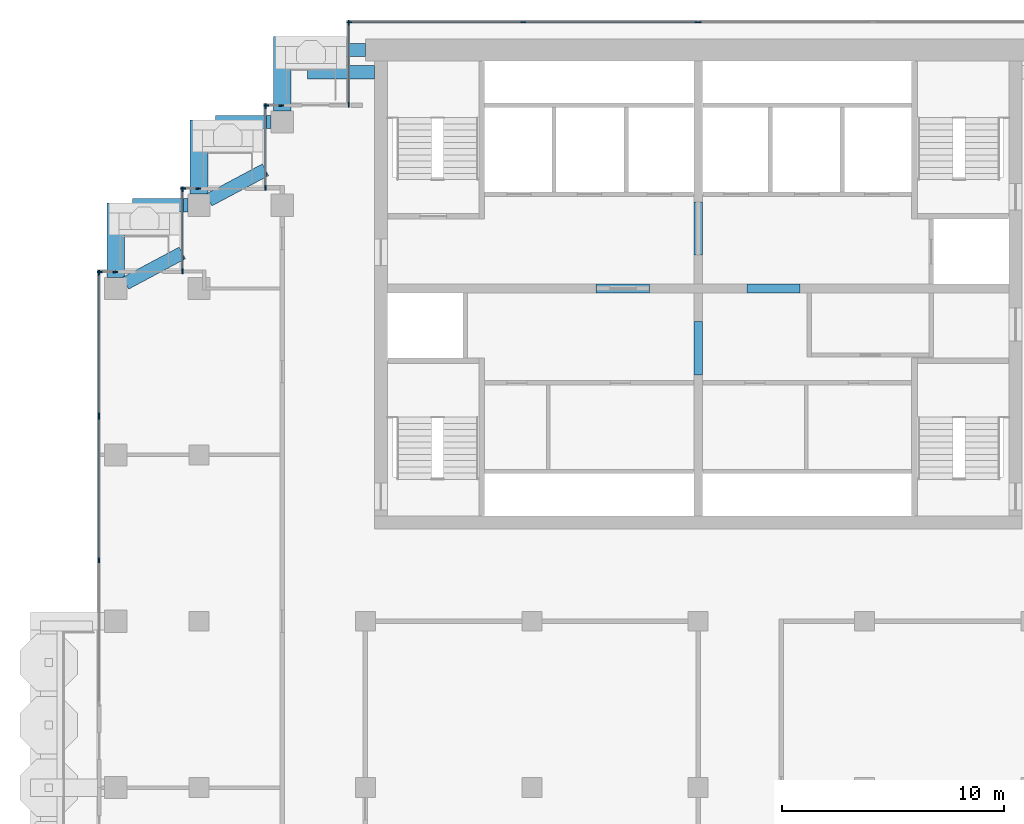
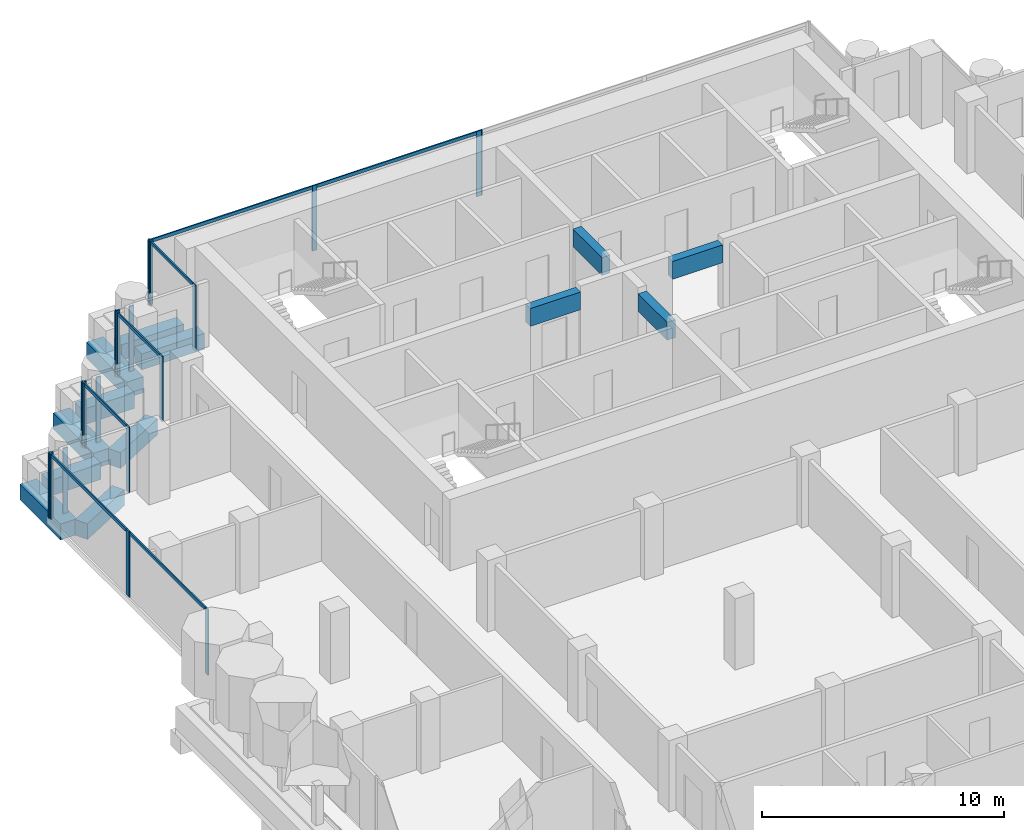
# One storey, part 5 of 18: 27 members, 13 beams, 10 elements without a shape of their own.
"""IFC4 building model written with IfcOpenShell, lengths in metres."""

from ifc_helpers import new_model, si_unit, direction, frame, origin, origin_2d, place, context, subcontext, project, spatial, rectangle, extrude, material, material_profile, profile_set, type_object, element, aggregate, save


model = new_model("IFC4")

# Units and contexts
model_context = context("Model", 3, precision=1e-05, world=origin(), true_north=direction((0.0, 1.0)))
body_context = subcontext(model_context, "Body", "Model", "MODEL_VIEW")
ifc_project = project(units=[si_unit("LENGTHUNIT", "METRE"), si_unit("AREAUNIT", "SQUARE_METRE"), si_unit("VOLUMEUNIT", "CUBIC_METRE"), si_unit("PLANEANGLEUNIT", "RADIAN"), si_unit("MASSUNIT", "GRAM", prefix="KILO")], contexts=[model_context])

# Site, building, storey
site_placement = place(None, origin())
site = spatial("IfcSite", under=ifc_project, at=site_placement, CompositionType="ELEMENT")
building_placement = place(site_placement, origin())
building = spatial("IfcBuilding", under=site, at=building_placement, Name="Pilkhan Gate Tower", CompositionType="ELEMENT")
storey_placement = place(building_placement, frame((0.0, 0.0, 210.300048828125)))
storey = spatial("IfcBuildingStorey", under=building, at=storey_placement, Name="L54", CompositionType="ELEMENT", Elevation=210.300048828125)

# Beams
ifc_material_1 = material(Name="Concrete C50/60", Category="concrete")
ifc_material_profile_1 = material_profile(ifc_material_1, rectangle(XDim=0.60009765625, YDim=0.800048828125, at=origin_2d()), Name="RC 600x800")
ifc_profile_set_1 = profile_set([ifc_material_profile_1], Name="Concrete C50/60")
beam_type_1 = type_object("IfcBeamType", Name="Cantilever beam CB1 RC 600x800 C50/60", PredefinedType="BEAM", material=ifc_profile_set_1)
for number, where, z_axis, x_axis, name in (
    (1, (60.0, 93.25, -0.699951171875), (-1.0, 0.0, 0.0), (0.0, -1.0, 0.0), "Balcony beam NW.2 L54"),
    (2, (60.39990234375, 92.25, -0.699951171875), (-1.0, 0.0, 0.0), (0.0, -1.0, 0.0), "Balcony beam NW.3 L54"),
):
    element("IfcBeam", number, at=place(storey_placement, frame(where, z_axis=z_axis, x_axis=x_axis)), inside=storey, type_object=beam_type_1, Name=name, PredefinedType="BEAM", context=body_context, shape_type="SweptSolid", body=[
        extrude(rectangle(XDim=0.60009765625, YDim=0.800048828125, at=origin_2d()), origin(), (0.0, 0.0, 1.0), 3.0),
    ])
beam_1_placement = place(storey_placement, frame((55.75, 90.0, -0.699951171875), z_axis=(-1.0, 0.0, 0.0), x_axis=(0.0, -1.0, 0.0)))
element("IfcBeam", 3, at=beam_1_placement, inside=storey, type_object=beam_type_1, Name="Balcony beam NW1.2 L54", PredefinedType="BEAM", context=body_context, shape_type="SweptSolid", body=[
    extrude(rectangle(XDim=0.60009765625, YDim=0.800048828125, at=origin_2d()), origin(), (0.0, 0.0, 1.0), 2.5),
])
beam_2_placement = place(storey_placement, frame((52.941162109375, 86.4853515625, -0.699951171875), z_axis=(0.882348280344, 0.470596974251, 0.0), x_axis=(-0.470596974251, 0.882348280344, 0.0)))
element("IfcBeam", 4, at=beam_2_placement, inside=storey, type_object=beam_type_1, Name="Balcony beam NW1.3 L54", PredefinedType="BEAM", context=body_context, shape_type="SweptSolid", body=[
    extrude(rectangle(XDim=0.60009765625, YDim=0.800048828125, at=origin_2d()), origin(), (0.0, 0.0, 1.0), 2.900146484375),
])
beam_3_placement = place(storey_placement, frame((52.0, 86.25, -0.699951171875), z_axis=(-1.0, 0.0, 0.0), x_axis=(0.0, -1.0, 0.0)))
element("IfcBeam", 5, at=beam_3_placement, inside=storey, type_object=beam_type_1, Name="Balcony beam NW2.2 L54", PredefinedType="BEAM", context=body_context, shape_type="SweptSolid", body=[
    extrude(rectangle(XDim=0.60009765625, YDim=0.800048828125, at=origin_2d()), origin(), (0.0, 0.0, 1.0), 2.5),
])
beam_4_placement = place(storey_placement, frame((49.191162109375, 82.7353515625, -0.699951171875), z_axis=(0.882348280344, 0.470596974251, 0.0), x_axis=(-0.470596974251, 0.882348280344, 0.0)))
element("IfcBeam", 6, at=beam_4_placement, inside=storey, type_object=beam_type_1, Name="Balcony beam NW2.3 L54", PredefinedType="BEAM", context=body_context, shape_type="SweptSolid", body=[
    extrude(rectangle(XDim=0.60009765625, YDim=0.800048828125, at=origin_2d()), origin(), (0.0, 0.0, 1.0), 2.900146484375),
])
ifc_material_profile_2 = material_profile(ifc_material_1, rectangle(XDim=0.800048828125, YDim=0.800048828125, at=origin_2d()), Name="RC 800x800")
ifc_profile_set_2 = profile_set([ifc_material_profile_2], Name="Concrete C50/60")
beam_type_2 = type_object("IfcBeamType", Name="Cantilever beam CB2 RC 800x800 C50/60", PredefinedType="BEAM", material=ifc_profile_set_2)
for number, where, z_axis, x_axis, name in (
    (7, (56.25, 90.5, -0.699951171875), (0.0, 1.0, 0.0), (-1.0, 0.0, 0.0), "Balcony beam NW.1 L54"),
    (8, (52.5, 86.75, -0.699951171875), (0.0, 1.0, 0.0), (-1.0, 0.0, 0.0), "Balcony beam NW1.1 L54"),
    (9, (48.75, 83.0, -0.699951171875), (0.0, 1.0, 0.0), (-1.0, 0.0, 0.0), "Balcony beam NW2.1 L54"),
):
    element("IfcBeam", number, at=place(storey_placement, frame(where, z_axis=z_axis, x_axis=x_axis)), inside=storey, type_object=beam_type_2, Name=name, PredefinedType="BEAM", context=body_context, shape_type="SweptSolid", body=[
        extrude(rectangle(XDim=0.800048828125, YDim=0.800048828125, at=origin_2d()), origin(), (0.0, 0.0, 1.0), 3.35009765625),
    ])
ifc_material_profile_3 = material_profile(ifc_material_1, rectangle(XDim=0.39990234375, YDim=0.89990234375, at=origin_2d()), Name="RC 400x900")
ifc_profile_set_3 = profile_set([ifc_material_profile_3], Name="Concrete C50/60")
beam_type_3 = type_object("IfcBeamType", Name="Coupling beam CB90-4 RC 400x900 C50/60", PredefinedType="LINTEL", material=ifc_profile_set_3)
for number, where, z_axis, x_axis, name in (
    (10, (70.39990234375, 82.5, 2.849853515625), (1.0, 0.0, 0.0), (0.0, 1.0, 0.0), "Coupling beam 1 L54"),
    (11, (77.199951171875, 82.5, 2.849853515625), (1.0, 0.0, 0.0), (0.0, 1.0, 0.0), "Coupling beam 2 L54"),
):
    element("IfcBeam", number, at=place(storey_placement, frame(where, z_axis=z_axis, x_axis=x_axis)), inside=storey, type_object=beam_type_3, Name=name, PredefinedType="LINTEL", context=body_context, shape_type="SweptSolid", body=[
        extrude(rectangle(XDim=0.39990234375, YDim=0.89990234375, at=origin_2d()), origin(), (0.0, 0.0, 1.0), 2.400146484375),
    ])
for number, where, z_axis, x_axis, name in (
    (12, (75.0, 78.60009765625, 2.849853515625), (0.0, 1.0, 0.0), (-1.0, 0.0, 0.0), "Coupling beam 3 L54"),
    (13, (75.0, 84.0, 2.849853515625), (0.0, 1.0, 0.0), (-1.0, 0.0, 0.0), "Coupling beam 4 L54"),
):
    element("IfcBeam", number, at=place(storey_placement, frame(where, z_axis=z_axis, x_axis=x_axis)), inside=storey, type_object=beam_type_3, Name=name, PredefinedType="LINTEL", context=body_context, shape_type="SweptSolid", body=[
        extrude(rectangle(XDim=0.39990234375, YDim=0.89990234375, at=origin_2d()), origin(), (0.0, 0.0, 1.0), 2.39990234375),
    ])

# Curtain wall, members
ifc_material_2 = material(Name="Pale anodised aluminium, clear low-iron double glazing", Category="aluminium")
curtain_wall_type = type_object("IfcCurtainWallType", Name="Office unitised curtain wall CW-O2", PredefinedType="USERDEFINED", material=ifc_material_2)
curtain_wall_1_placement = place(storey_placement, origin())
curtain_wall_1 = element("IfcCurtainWall", 14, at=curtain_wall_1_placement, inside=storey, type_object=curtain_wall_type, Name="Office unitised curtain wall CW-O2 L54 N", ObjectType="UNITISED CURTAIN WALL", PredefinedType="USERDEFINED")
ifc_material_3 = material(Name="Pale anodised aluminium", Category="aluminium")
ifc_material_profile_4 = material_profile(ifc_material_3, rectangle(XDim=0.06494140625, YDim=0.22509765625, at=origin_2d()), Name="Mullion 225x65")
ifc_profile_set_4 = profile_set([ifc_material_profile_4], Name="Pale anodised aluminium")
member_type_1 = type_object("IfcMemberType", Name="Mullion CW-O2 225x65", PredefinedType="MULLION", material=ifc_profile_set_4)
member_1_placement = place(storey_placement, frame((59.282470703125, 94.5, 0.0), z_axis=(0.0, 0.0, 1.0), x_axis=(0.0, 1.0, 0.0)))
member_1 = element("IfcMember", 15, at=member_1_placement, type_object=member_type_1, Name="CW-O2 mullion 1", PredefinedType="MULLION", context=body_context, shape_type="SweptSolid", body=[
    extrude(rectangle(XDim=0.06494140625, YDim=0.22509765625, at=origin_2d()), origin(), (0.0, 0.0, 1.0), 3.300048828125),
])
member_2_placement = place(storey_placement, frame((67.125, 94.5, 0.0), z_axis=(0.0, 0.0, 1.0), x_axis=(0.0, 1.0, 0.0)))
member_2 = element("IfcMember", 16, at=member_2_placement, type_object=member_type_1, Name="CW-O2 mullion 2", PredefinedType="MULLION", context=body_context, shape_type="SweptSolid", body=[
    extrude(rectangle(XDim=0.06494140625, YDim=0.22509765625, at=origin_2d()), origin(), (0.0, 0.0, 1.0), 3.300048828125),
])
member_3_placement = place(storey_placement, frame((74.967529296875, 94.5, 0.0), z_axis=(0.0, 0.0, 1.0), x_axis=(0.0, 1.0, 0.0)))
member_3 = element("IfcMember", 17, at=member_3_placement, type_object=member_type_1, Name="CW-O2 mullion 3", PredefinedType="MULLION", context=body_context, shape_type="SweptSolid", body=[
    extrude(rectangle(XDim=0.06494140625, YDim=0.22509765625, at=origin_2d()), origin(), (0.0, 0.0, 1.0), 3.300048828125),
])

# Curtain wall, member
curtain_wall_2_placement = place(storey_placement, origin())
curtain_wall_2 = element("IfcCurtainWall", 18, at=curtain_wall_2_placement, inside=storey, type_object=curtain_wall_type, Name="Office unitised curtain wall CW-O2 L54 N", ObjectType="UNITISED CURTAIN WALL", PredefinedType="USERDEFINED")
member_4_placement = place(storey_placement, frame((75.032470703125, 94.5, 0.0), z_axis=(0.0, 0.0, 1.0), x_axis=(0.0, 1.0, 0.0)))
member_4 = element("IfcMember", 19, at=member_4_placement, type_object=member_type_1, Name="CW-O2 mullion 1", PredefinedType="MULLION", context=body_context, shape_type="SweptSolid", body=[
    extrude(rectangle(XDim=0.06494140625, YDim=0.22509765625, at=origin_2d()), origin(), (0.0, 0.0, 1.0), 3.300048828125),
])
aggregate(curtain_wall_2, [member_4])

# Curtain wall, members
curtain_wall_3_placement = place(storey_placement, origin())
curtain_wall_3 = element("IfcCurtainWall", 20, at=curtain_wall_3_placement, inside=storey, type_object=curtain_wall_type, Name="Office unitised curtain wall CW-O2 L54 W", ObjectType="UNITISED CURTAIN WALL", PredefinedType="USERDEFINED")
member_5_placement = place(storey_placement, frame((59.25, 90.782470703125, 0.0), z_axis=(0.0, 0.0, 1.0), x_axis=(-1.0, 0.0, 0.0)))
member_5 = element("IfcMember", 21, at=member_5_placement, type_object=member_type_1, Name="CW-O2 mullion 1", PredefinedType="MULLION", context=body_context, shape_type="SweptSolid", body=[
    extrude(rectangle(XDim=0.06494140625, YDim=0.22509765625, at=origin_2d()), origin(), (0.0, 0.0, 1.0), 3.300048828125),
])
member_6_placement = place(storey_placement, frame((59.25, 94.467529296875, 0.0), z_axis=(0.0, 0.0, 1.0), x_axis=(-1.0, 0.0, 0.0)))
member_6 = element("IfcMember", 22, at=member_6_placement, type_object=member_type_1, Name="CW-O2 mullion 2", PredefinedType="MULLION", context=body_context, shape_type="SweptSolid", body=[
    extrude(rectangle(XDim=0.06494140625, YDim=0.22509765625, at=origin_2d()), origin(), (0.0, 0.0, 1.0), 3.300048828125),
])

curtain_wall_4_placement = place(storey_placement, origin())
curtain_wall_4 = element("IfcCurtainWall", 23, at=curtain_wall_4_placement, inside=storey, type_object=curtain_wall_type, Name="Office unitised curtain wall CW-O2 L54 N", ObjectType="UNITISED CURTAIN WALL", PredefinedType="USERDEFINED")
member_7_placement = place(storey_placement, frame((55.532470703125, 90.75, 0.0), z_axis=(0.0, 0.0, 1.0), x_axis=(0.0, 1.0, 0.0)))
member_7 = element("IfcMember", 24, at=member_7_placement, type_object=member_type_1, Name="CW-O2 mullion 1", PredefinedType="MULLION", context=body_context, shape_type="SweptSolid", body=[
    extrude(rectangle(XDim=0.06494140625, YDim=0.22509765625, at=origin_2d()), origin(), (0.0, 0.0, 1.0), 3.300048828125),
])
member_8_placement = place(storey_placement, frame((56.217529296875, 90.75, 0.0), z_axis=(0.0, 0.0, 1.0), x_axis=(0.0, 1.0, 0.0)))
member_8 = element("IfcMember", 25, at=member_8_placement, type_object=member_type_1, Name="CW-O2 mullion 2", PredefinedType="MULLION", context=body_context, shape_type="SweptSolid", body=[
    extrude(rectangle(XDim=0.06494140625, YDim=0.22509765625, at=origin_2d()), origin(), (0.0, 0.0, 1.0), 3.300048828125),
])
aggregate(curtain_wall_4, [member_7, member_8])

curtain_wall_5_placement = place(storey_placement, origin())
curtain_wall_5 = element("IfcCurtainWall", 26, at=curtain_wall_5_placement, inside=storey, type_object=curtain_wall_type, Name="Office unitised curtain wall CW-O2 L54 W", ObjectType="UNITISED CURTAIN WALL", PredefinedType="USERDEFINED")
member_9_placement = place(storey_placement, frame((55.5, 87.032470703125, 0.0), z_axis=(0.0, 0.0, 1.0), x_axis=(-1.0, 0.0, 0.0)))
member_9 = element("IfcMember", 27, at=member_9_placement, type_object=member_type_1, Name="CW-O2 mullion 1", PredefinedType="MULLION", context=body_context, shape_type="SweptSolid", body=[
    extrude(rectangle(XDim=0.06494140625, YDim=0.22509765625, at=origin_2d()), origin(), (0.0, 0.0, 1.0), 3.300048828125),
])
member_10_placement = place(storey_placement, frame((55.5, 90.717529296875, 0.0), z_axis=(0.0, 0.0, 1.0), x_axis=(-1.0, 0.0, 0.0)))
member_10 = element("IfcMember", 28, at=member_10_placement, type_object=member_type_1, Name="CW-O2 mullion 2", PredefinedType="MULLION", context=body_context, shape_type="SweptSolid", body=[
    extrude(rectangle(XDim=0.06494140625, YDim=0.22509765625, at=origin_2d()), origin(), (0.0, 0.0, 1.0), 3.300048828125),
])

curtain_wall_6_placement = place(storey_placement, origin())
curtain_wall_6 = element("IfcCurtainWall", 29, at=curtain_wall_6_placement, inside=storey, type_object=curtain_wall_type, Name="Office unitised curtain wall CW-O2 L54 N", ObjectType="UNITISED CURTAIN WALL", PredefinedType="USERDEFINED")
member_11_placement = place(storey_placement, frame((51.782470703125, 87.0, 0.0), z_axis=(0.0, 0.0, 1.0), x_axis=(0.0, 1.0, 0.0)))
member_11 = element("IfcMember", 30, at=member_11_placement, type_object=member_type_1, Name="CW-O2 mullion 1", PredefinedType="MULLION", context=body_context, shape_type="SweptSolid", body=[
    extrude(rectangle(XDim=0.06494140625, YDim=0.22509765625, at=origin_2d()), origin(), (0.0, 0.0, 1.0), 3.300048828125),
])
member_12_placement = place(storey_placement, frame((52.467529296875, 87.0, 0.0), z_axis=(0.0, 0.0, 1.0), x_axis=(0.0, 1.0, 0.0)))
member_12 = element("IfcMember", 31, at=member_12_placement, type_object=member_type_1, Name="CW-O2 mullion 2", PredefinedType="MULLION", context=body_context, shape_type="SweptSolid", body=[
    extrude(rectangle(XDim=0.06494140625, YDim=0.22509765625, at=origin_2d()), origin(), (0.0, 0.0, 1.0), 3.300048828125),
])
aggregate(curtain_wall_6, [member_11, member_12])

curtain_wall_7_placement = place(storey_placement, origin())
curtain_wall_7 = element("IfcCurtainWall", 32, at=curtain_wall_7_placement, inside=storey, type_object=curtain_wall_type, Name="Office unitised curtain wall CW-O2 L54 W", ObjectType="UNITISED CURTAIN WALL", PredefinedType="USERDEFINED")
member_13_placement = place(storey_placement, frame((51.75, 83.282470703125, 0.0), z_axis=(0.0, 0.0, 1.0), x_axis=(-1.0, 0.0, 0.0)))
member_13 = element("IfcMember", 33, at=member_13_placement, type_object=member_type_1, Name="CW-O2 mullion 1", PredefinedType="MULLION", context=body_context, shape_type="SweptSolid", body=[
    extrude(rectangle(XDim=0.06494140625, YDim=0.22509765625, at=origin_2d()), origin(), (0.0, 0.0, 1.0), 3.300048828125),
])
member_14_placement = place(storey_placement, frame((51.75, 86.967529296875, 0.0), z_axis=(0.0, 0.0, 1.0), x_axis=(-1.0, 0.0, 0.0)))
member_14 = element("IfcMember", 34, at=member_14_placement, type_object=member_type_1, Name="CW-O2 mullion 2", PredefinedType="MULLION", context=body_context, shape_type="SweptSolid", body=[
    extrude(rectangle(XDim=0.06494140625, YDim=0.22509765625, at=origin_2d()), origin(), (0.0, 0.0, 1.0), 3.300048828125),
])

curtain_wall_8_placement = place(storey_placement, origin())
curtain_wall_8 = element("IfcCurtainWall", 35, at=curtain_wall_8_placement, inside=storey, type_object=curtain_wall_type, Name="Office unitised curtain wall CW-O2 L54 N", ObjectType="UNITISED CURTAIN WALL", PredefinedType="USERDEFINED")
member_15_placement = place(storey_placement, frame((48.032470703125, 83.25, 0.0), z_axis=(0.0, 0.0, 1.0), x_axis=(0.0, 1.0, 0.0)))
member_15 = element("IfcMember", 36, at=member_15_placement, type_object=member_type_1, Name="CW-O2 mullion 1", PredefinedType="MULLION", context=body_context, shape_type="SweptSolid", body=[
    extrude(rectangle(XDim=0.06494140625, YDim=0.22509765625, at=origin_2d()), origin(), (0.0, 0.0, 1.0), 3.300048828125),
])
member_16_placement = place(storey_placement, frame((48.717529296875, 83.25, 0.0), z_axis=(0.0, 0.0, 1.0), x_axis=(0.0, 1.0, 0.0)))
member_16 = element("IfcMember", 37, at=member_16_placement, type_object=member_type_1, Name="CW-O2 mullion 2", PredefinedType="MULLION", context=body_context, shape_type="SweptSolid", body=[
    extrude(rectangle(XDim=0.06494140625, YDim=0.22509765625, at=origin_2d()), origin(), (0.0, 0.0, 1.0), 3.300048828125),
])
aggregate(curtain_wall_8, [member_15, member_16])

curtain_wall_9_placement = place(storey_placement, origin())
curtain_wall_9 = element("IfcCurtainWall", 38, at=curtain_wall_9_placement, inside=storey, type_object=curtain_wall_type, Name="Office unitised curtain wall CW-O2 L54 W", ObjectType="UNITISED CURTAIN WALL", PredefinedType="USERDEFINED")
member_17_placement = place(storey_placement, frame((48.0, 70.25, 0.0), z_axis=(0.0, 0.0, 1.0), x_axis=(-1.0, 0.0, 0.0)))
member_17 = element("IfcMember", 39, at=member_17_placement, type_object=member_type_1, Name="CW-O2 mullion 2", PredefinedType="MULLION", context=body_context, shape_type="SweptSolid", body=[
    extrude(rectangle(XDim=0.06494140625, YDim=0.22509765625, at=origin_2d()), origin(), (0.0, 0.0, 1.0), 3.300048828125),
])
member_18_placement = place(storey_placement, frame((48.0, 76.717529296875, 0.0), z_axis=(0.0, 0.0, 1.0), x_axis=(-1.0, 0.0, 0.0)))
member_18 = element("IfcMember", 40, at=member_18_placement, type_object=member_type_1, Name="CW-O2 mullion 3", PredefinedType="MULLION", context=body_context, shape_type="SweptSolid", body=[
    extrude(rectangle(XDim=0.06494140625, YDim=0.22509765625, at=origin_2d()), origin(), (0.0, 0.0, 1.0), 3.300048828125),
])

curtain_wall_10_placement = place(storey_placement, origin())
curtain_wall_10 = element("IfcCurtainWall", 41, at=curtain_wall_10_placement, inside=storey, type_object=curtain_wall_type, Name="Office unitised curtain wall CW-O2 L54 W", ObjectType="UNITISED CURTAIN WALL", PredefinedType="USERDEFINED")
member_19_placement = place(storey_placement, frame((48.0, 76.782470703125, 0.0), z_axis=(0.0, 0.0, 1.0), x_axis=(-1.0, 0.0, 0.0)))
member_19 = element("IfcMember", 42, at=member_19_placement, type_object=member_type_1, Name="CW-O2 mullion 1", PredefinedType="MULLION", context=body_context, shape_type="SweptSolid", body=[
    extrude(rectangle(XDim=0.06494140625, YDim=0.22509765625, at=origin_2d()), origin(), (0.0, 0.0, 1.0), 3.300048828125),
])
member_20_placement = place(storey_placement, frame((48.0, 83.217529296875, 0.0), z_axis=(0.0, 0.0, 1.0), x_axis=(-1.0, 0.0, 0.0)))
member_20 = element("IfcMember", 43, at=member_20_placement, type_object=member_type_1, Name="CW-O2 mullion 2", PredefinedType="MULLION", context=body_context, shape_type="SweptSolid", body=[
    extrude(rectangle(XDim=0.06494140625, YDim=0.22509765625, at=origin_2d()), origin(), (0.0, 0.0, 1.0), 3.300048828125),
])

# Member
ifc_material_profile_5 = material_profile(ifc_material_3, rectangle(XDim=0.06494140625, YDim=0.1650390625, at=origin_2d()), Name="Transom 165x65")
ifc_profile_set_5 = profile_set([ifc_material_profile_5], Name="Pale anodised aluminium")
member_type_2 = type_object("IfcMemberType", Name="Transom CW-O2 165x65", PredefinedType="USERDEFINED", material=ifc_profile_set_5)
member_21_placement = place(storey_placement, frame((59.31494140625, 94.5, 3.217529296875), z_axis=(1.0, 0.0, 0.0), x_axis=(0.0, 1.0, 0.0)))
member_21 = element("IfcMember", 44, at=member_21_placement, type_object=member_type_2, Name="CW-O2 transom 1", ObjectType="TRANSOM", PredefinedType="USERDEFINED", context=body_context, shape_type="SweptSolid", body=[
    extrude(rectangle(XDim=0.06494140625, YDim=0.1650390625, at=origin_2d()), origin(), (0.0, 0.0, 1.0), 7.777587890625),
])

member_22_placement = place(storey_placement, frame((67.157470703125, 94.5, 3.217529296875), z_axis=(1.0, 0.0, 0.0), x_axis=(0.0, 1.0, 0.0)))
member_22 = element("IfcMember", 45, at=member_22_placement, type_object=member_type_2, Name="CW-O2 transom 2", ObjectType="TRANSOM", PredefinedType="USERDEFINED", context=body_context, shape_type="SweptSolid", body=[
    extrude(rectangle(XDim=0.06494140625, YDim=0.1650390625, at=origin_2d()), origin(), (0.0, 0.0, 1.0), 7.777587890625),
])

aggregate(curtain_wall_1, [member_1, member_2, member_3, member_21, member_22])

member_23_placement = place(storey_placement, frame((59.25, 90.81494140625, 3.217529296875), z_axis=(0.0, 1.0, 0.0), x_axis=(-1.0, 0.0, 0.0)))
member_23 = element("IfcMember", 46, at=member_23_placement, type_object=member_type_2, Name="CW-O2 transom 1", ObjectType="TRANSOM", PredefinedType="USERDEFINED", context=body_context, shape_type="SweptSolid", body=[
    extrude(rectangle(XDim=0.06494140625, YDim=0.1650390625, at=origin_2d()), origin(), (0.0, 0.0, 1.0), 3.6201171875),
])

aggregate(curtain_wall_3, [member_5, member_6, member_23])

member_24_placement = place(storey_placement, frame((55.5, 87.06494140625, 3.217529296875), z_axis=(0.0, 1.0, 0.0), x_axis=(-1.0, 0.0, 0.0)))
member_24 = element("IfcMember", 47, at=member_24_placement, type_object=member_type_2, Name="CW-O2 transom 1", ObjectType="TRANSOM", PredefinedType="USERDEFINED", context=body_context, shape_type="SweptSolid", body=[
    extrude(rectangle(XDim=0.06494140625, YDim=0.1650390625, at=origin_2d()), origin(), (0.0, 0.0, 1.0), 3.6201171875),
])

aggregate(curtain_wall_5, [member_9, member_10, member_24])

member_25_placement = place(storey_placement, frame((51.75, 83.31494140625, 3.217529296875), z_axis=(0.0, 1.0, 0.0), x_axis=(-1.0, 0.0, 0.0)))
member_25 = element("IfcMember", 48, at=member_25_placement, type_object=member_type_2, Name="CW-O2 transom 1", ObjectType="TRANSOM", PredefinedType="USERDEFINED", context=body_context, shape_type="SweptSolid", body=[
    extrude(rectangle(XDim=0.06494140625, YDim=0.1650390625, at=origin_2d()), origin(), (0.0, 0.0, 1.0), 3.6201171875),
])

aggregate(curtain_wall_7, [member_13, member_14, member_25])

member_26_placement = place(storey_placement, frame((48.0, 70.282470703125, 3.217529296875), z_axis=(0.0, 1.0, 0.0), x_axis=(-1.0, 0.0, 0.0)))
member_26 = element("IfcMember", 49, at=member_26_placement, type_object=member_type_2, Name="CW-O2 transom 2", ObjectType="TRANSOM", PredefinedType="USERDEFINED", context=body_context, shape_type="SweptSolid", body=[
    extrude(rectangle(XDim=0.06494140625, YDim=0.1650390625, at=origin_2d()), origin(), (0.0, 0.0, 1.0), 6.402587890625),
])

aggregate(curtain_wall_9, [member_17, member_18, member_26])

member_27_placement = place(storey_placement, frame((48.0, 76.81494140625, 3.217529296875), z_axis=(0.0, 1.0, 0.0), x_axis=(-1.0, 0.0, 0.0)))
member_27 = element("IfcMember", 50, at=member_27_placement, type_object=member_type_2, Name="CW-O2 transom 1", ObjectType="TRANSOM", PredefinedType="USERDEFINED", context=body_context, shape_type="SweptSolid", body=[
    extrude(rectangle(XDim=0.06494140625, YDim=0.1650390625, at=origin_2d()), origin(), (0.0, 0.0, 1.0), 6.3701171875),
])

aggregate(curtain_wall_10, [member_19, member_20, member_27])

save(model, "model.ifc")
